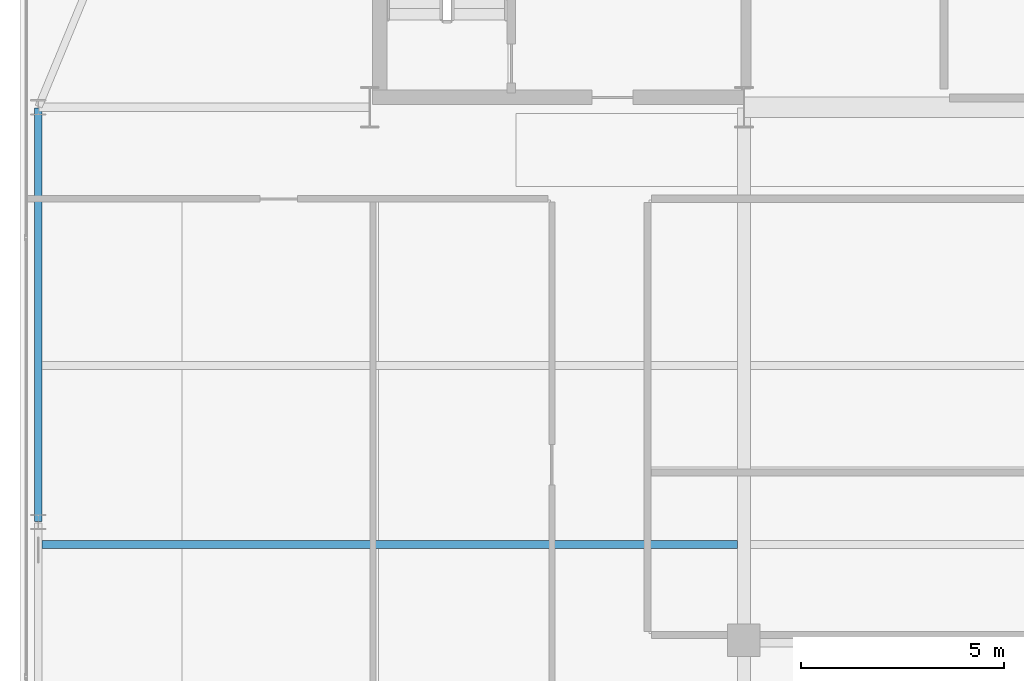
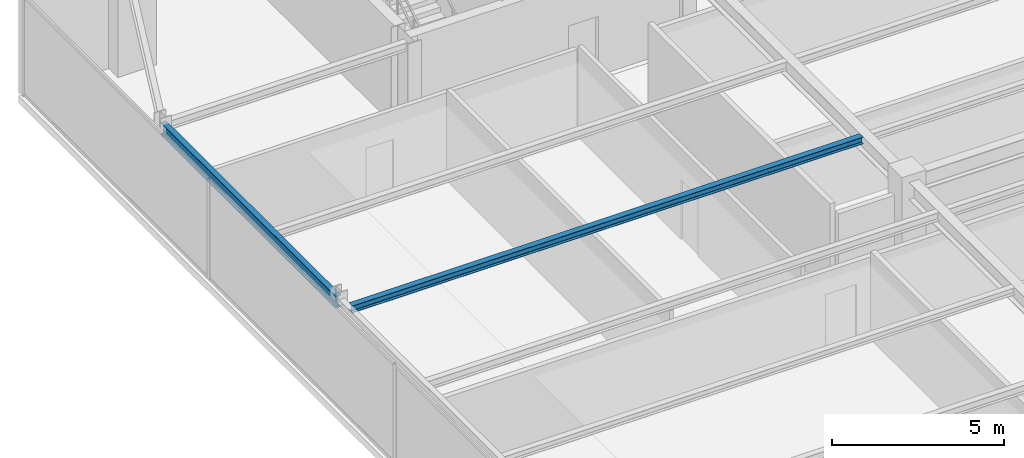
# One storey, part 11 of 31: 2 beams.
"""IFC4 building model written with IfcOpenShell, lengths in metres."""

from ifc_helpers import new_model, si_unit, direction, frame, origin, origin_2d, place, context, subcontext, project, spatial, i_section, extrude, source, transform, mapped, material, material_profile, profile_set, type_object, type_shapes, element, save


model = new_model("IFC4")

# Units and contexts
model_context = context("Model", 3, precision=1e-05, world=origin(), true_north=direction((0.0, 1.0)))
body_context = subcontext(model_context, "Body", "Model", "MODEL_VIEW")
ifc_project = project(units=[si_unit("LENGTHUNIT", "METRE"), si_unit("AREAUNIT", "SQUARE_METRE"), si_unit("VOLUMEUNIT", "CUBIC_METRE"), si_unit("PLANEANGLEUNIT", "RADIAN"), si_unit("MASSUNIT", "GRAM", prefix="KILO")], contexts=[model_context])

# Site, building, storey
site_placement = place(None, origin())
site = spatial("IfcSite", under=ifc_project, at=site_placement, CompositionType="ELEMENT")
building_placement = place(site_placement, origin())
building = spatial("IfcBuilding", under=site, at=building_placement, Name="Varnel Quay Broadcast Tower", CompositionType="ELEMENT")
storey_placement = place(building_placement, frame((0.0, 0.0, 153.39990234375)))
storey = spatial("IfcBuildingStorey", under=building, at=storey_placement, Name="L37", CompositionType="ELEMENT", Elevation=153.39990234375)

# Beams
ifc_material = material(Name="Structural Steel CSA G40.21 350W", Category="steel")
ifc_material_profile_1 = material_profile(ifc_material, i_section(OverallWidth=0.180908203125, OverallDepth=0.4169921875, WebThickness=0.010986328125, FlangeThickness=0.018310546875, FilletRadius=0.011962890625, at=origin_2d()), Name="W410X85")
ifc_profile_set_1 = profile_set([ifc_material_profile_1], Name="Structural Steel CSA G40.21 350W")
beam_type_1 = type_object("IfcBeamType", Name="Beam_W410X85", PredefinedType="SPANDREL", material=ifc_profile_set_1)
shared_shape_1 = source(origin(), body_context, "Body", "SweptSolid", [
    extrude(i_section(OverallWidth=0.180908203125, OverallDepth=0.4169921875, WebThickness=0.010986328125, FlangeThickness=0.018310546875, FilletRadius=0.011962890625, at=origin_2d()), origin(), (0.0, 0.0, 1.0), 10.16015625),
])
type_shapes(beam_type_1, [shared_shape_1])
beam_1_placement = place(storey_placement, frame((7.449951171875, 25.419921875, 3.341552734375), z_axis=(0.0, 1.0, 0.0), x_axis=(-1.0, 0.0, 0.0)))
element("IfcBeam", 1, at=beam_1_placement, inside=storey, type_object=beam_type_1, Name="L37 West Spandrel TC-W2-TC-W3", PredefinedType="SPANDREL", context=body_context, shape_type="MappedRepresentation", body=[
    mapped(shared_shape_1, transform((0.0, 0.0, 0.0), x_axis=(1.0, 0.0, 0.0), y_axis=(0.0, 1.0, 0.0), z_axis=(0.0, 0.0, 1.0), scale=1.0)),
])
ifc_material_profile_2 = material_profile(ifc_material, i_section(OverallWidth=0.201904296875, OverallDepth=0.2470703125, WebThickness=0.00732421875, FlangeThickness=0.010986328125, FilletRadius=0.010986328125, at=origin_2d()), Name="W250X49")
ifc_profile_set_2 = profile_set([ifc_material_profile_2], Name="Structural Steel CSA G40.21 350W")
beam_type_2 = type_object("IfcBeamType", Name="Beam_W250X49", PredefinedType="JOIST", material=ifc_profile_set_2)
shared_shape_2 = source(origin(), body_context, "Body", "SweptSolid", [
    extrude(i_section(OverallWidth=0.201904296875, OverallDepth=0.2470703125, WebThickness=0.00732421875, FlangeThickness=0.010986328125, FilletRadius=0.010986328125, at=origin_2d()), origin(), (0.0, 0.0, 1.0), 17.107177734375),
])
type_shapes(beam_type_2, [shared_shape_2])
beam_2_placement = place(storey_placement, frame((7.535400390625, 24.85009765625, 3.426513671875), z_axis=(1.0, 0.0, 0.0), x_axis=(0.0, 1.0, 0.0)))
element("IfcBeam", 2, at=beam_2_placement, inside=storey, type_object=beam_type_2, Name="L37 West Floor Joist 4", PredefinedType="JOIST", context=body_context, shape_type="MappedRepresentation", body=[
    mapped(shared_shape_2, transform((0.0, 0.0, 0.0), x_axis=(1.0, 0.0, 0.0), y_axis=(0.0, 1.0, 0.0), z_axis=(0.0, 0.0, 1.0), scale=1.0)),
])

save(model, "model.ifc")
